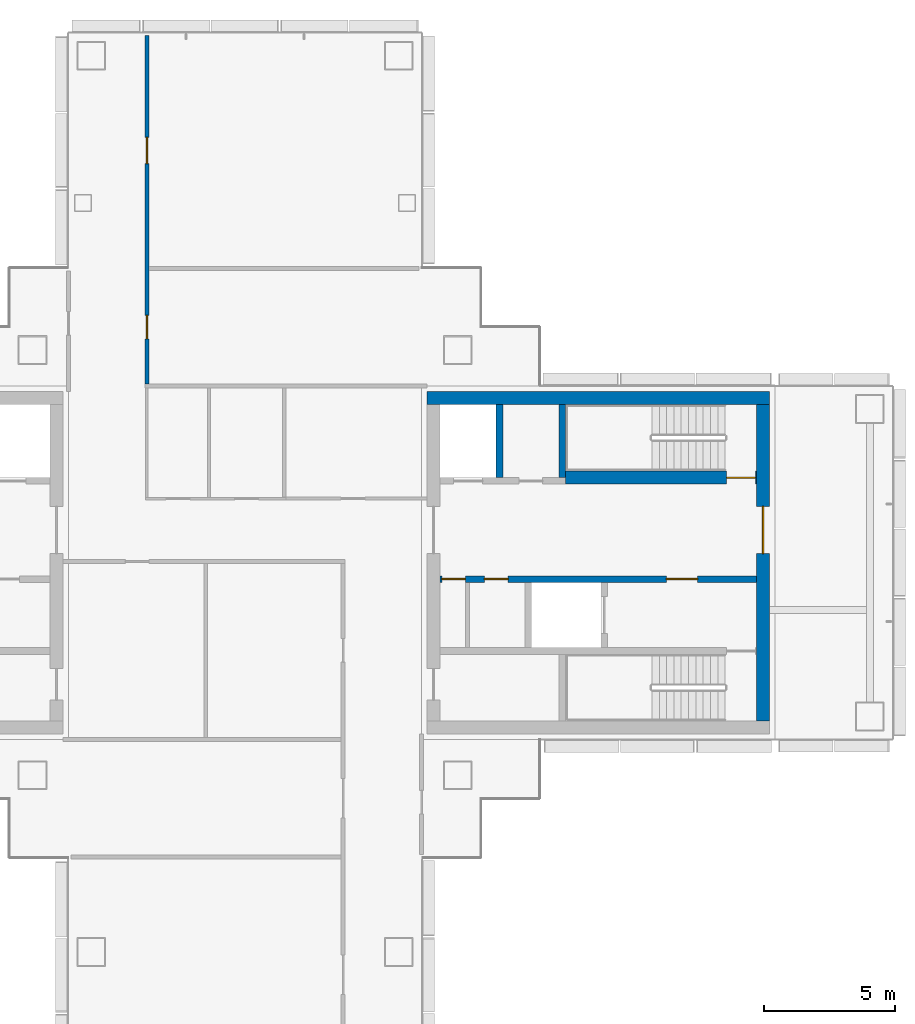
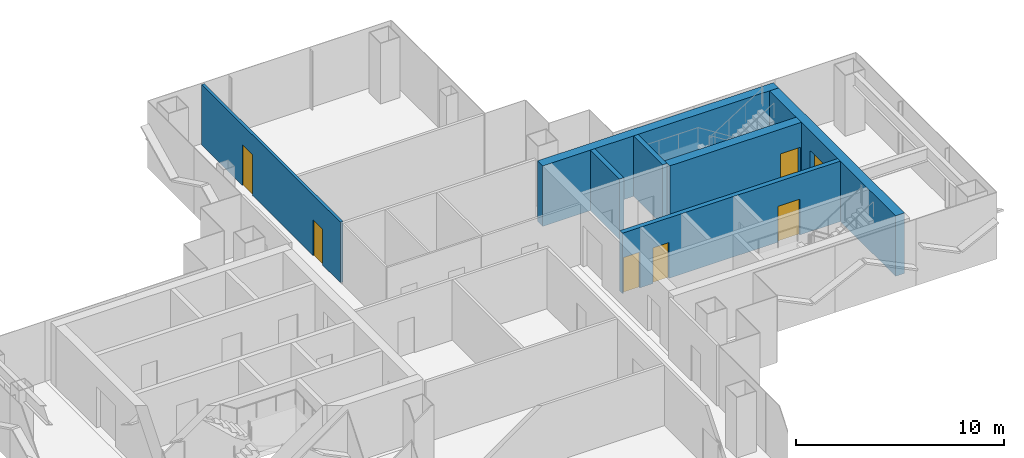
# One storey, part 12 of 16: 7 doors, 7 walls, 7 openings.
"""IFC4 building model written with IfcOpenShell, lengths in metres."""

from ifc_helpers import new_model, si_unit, direction, frame, frame_2d, origin, place, context, subcontext, project, spatial, rectangle, extrude, material, layer, layer_set, type_object, element, fill, save


model = new_model("IFC4")

# Units and contexts
model_context = context("Model", 3, precision=1e-05, world=origin(), true_north=direction((0.0, 1.0)))
body_context = subcontext(model_context, "Body", "Model", "MODEL_VIEW")
ifc_project = project(units=[si_unit("LENGTHUNIT", "METRE"), si_unit("AREAUNIT", "SQUARE_METRE"), si_unit("VOLUMEUNIT", "CUBIC_METRE"), si_unit("PLANEANGLEUNIT", "RADIAN"), si_unit("MASSUNIT", "GRAM", prefix="KILO")], contexts=[model_context])

# Site, building, storey
site_placement = place(None, origin())
site = spatial("IfcSite", under=ifc_project, at=site_placement, CompositionType="ELEMENT")
building_placement = place(site_placement, origin())
building = spatial("IfcBuilding", under=site, at=building_placement, Name="Shamsa Quay Exchange Towers", CompositionType="ELEMENT")
storey_placement = place(building_placement, frame((0.0, 0.0, 166.199951171875)))
storey = spatial("IfcBuildingStorey", under=building, at=storey_placement, Name="L39", CompositionType="ELEMENT", Elevation=166.199951171875)

# Wall
ifc_material_1 = material(Name="Concrete C60/75", Category="concrete")
ifc_layer_1 = layer(ifc_material_1, 0.5)
ifc_layer_set_1 = layer_set([ifc_layer_1], Name="CORE WALL 500 C60/75")
wall_type_1 = type_object("IfcWallType", Name="CORE WALL 500 C60/75", PredefinedType="SHEAR", material=ifc_layer_set_1)
wall_1_placement = place(storey_placement, frame((53.800048828125, 6.300048828125, 0.0), z_axis=(0.0, 0.0, 1.0), x_axis=(-1.0, 0.0, 0.0)))
element("IfcWall", 1, at=wall_1_placement, inside=storey, type_object=wall_type_1, Name="Core wall T2B-R18-PN", PredefinedType="SHEAR", context=body_context, shape_type="SweptSolid", body=[
    extrude(rectangle(XDim=13.10009765625, YDim=0.5, at=frame_2d((6.550048828125, 0.0))), origin(), (0.0, 0.0, 1.0), 3.550048828125),
])

# Wall, opening, door
wall_2_placement = place(storey_placement, frame((53.550048828125, -6.050048828125, 0.0), z_axis=(0.0, 0.0, 1.0), x_axis=(0.0, 1.0, 0.0)))
wall_2 = element("IfcWall", 2, at=wall_2_placement, inside=storey, type_object=wall_type_1, Name="Core wall T2B-R18-PF", PredefinedType="SHEAR", context=body_context, shape_type="SweptSolid", body=[
    extrude(rectangle(XDim=12.10009765625, YDim=0.5, at=frame_2d((6.050048828125, 0.0))), origin(), (0.0, 0.0, 1.0), 3.550048828125),
])
opening_1_placement = place(wall_2_placement, frame((6.39990234375, 0.0, 0.0)))
opening_1 = element("IfcOpeningElement", 3, at=opening_1_placement, cuts=wall_2, Name="Opening T2B-R18-LBD01", PredefinedType="OPENING", context=body_context, shape_type="SweptSolid", body=[
    extrude(rectangle(XDim=1.800048828125, YDim=2.39990234375, at=frame_2d((0.89990234375, 1.199951171875))), frame((0.0, 0.260009765625, 0.0), z_axis=(0.0, -1.0, 0.0), x_axis=(1.0, 0.0, 0.0)), (0.0, 0.0, 1.0), 0.52001953125),
])
ifc_material_2 = material(Name="Steel, fire rated", Category="steel")
door_type_1 = type_object("IfcDoorType", Name="LIFT LOBBY DOOR PAIR 1800", OperationType="DOUBLE_DOOR_SINGLE_SWING", PredefinedType="DOOR", material=ifc_material_2)
door_1_placement = place(opening_1_placement, origin())
door_1 = element("IfcDoor", 4, at=door_1_placement, inside=storey, type_object=door_type_1, Name="T2B-R18-LBD01", OperationType="DOUBLE_DOOR_SINGLE_SWING", OverallHeight=2.39990234375, OverallWidth=1.800048828125, PredefinedType="DOOR", context=body_context, shape_type="SweptSolid", body=[
    extrude(rectangle(XDim=1.800048828125, YDim=2.39990234375, at=frame_2d((0.89990234375, 1.199951171875))), frame((0.0, 0.02490234375, 0.0), z_axis=(0.0, -1.0, 0.0), x_axis=(1.0, 0.0, 0.0)), (0.0, 0.0, 1.0), 0.050048828125),
])
fill(opening_1, door_1)

# Wall, openings, doors
ifc_material_3 = material(Name="Gypsum board partition on metal studs")
ifc_layer_2 = layer(ifc_material_3, 0.14990234375)
ifc_layer_set_2 = layer_set([ifc_layer_2], Name="Partition 150 mm EI 60")
wall_type_2 = type_object("IfcWallType", Name="Partition 150 mm EI 60", PredefinedType="PARTITIONING", material=ifc_layer_set_2)
wall_3_placement = place(storey_placement, frame((30.0, 20.155029296875, 0.0), z_axis=(0.0, 0.0, 1.0), x_axis=(0.0, -1.0, 0.0)))
wall_3 = element("IfcWall", 5, at=wall_3_placement, inside=storey, type_object=wall_type_2, Name="Partition T2-R18-W01", PredefinedType="PARTITIONING", context=body_context, shape_type="SweptSolid", body=[
    extrude(rectangle(XDim=13.330078125, YDim=0.14990234375, at=frame_2d((6.6650390625, 0.0))), origin(), (0.0, 0.0, 1.0), 3.550048828125),
])
opening_2_placement = place(wall_3_placement, frame((10.705078125, 0.0, 0.0)))
opening_2 = element("IfcOpeningElement", 6, at=opening_2_placement, cuts=wall_3, Name="Opening T2-R18-D08", PredefinedType="OPENING", context=body_context, shape_type="SweptSolid", body=[
    extrude(rectangle(XDim=0.89990234375, YDim=2.10009765625, at=frame_2d((0.449951171875, 1.050048828125))), frame((0.0, 0.0849609375, 0.0), z_axis=(0.0, -1.0, 0.0), x_axis=(1.0, 0.0, 0.0)), (0.0, 0.0, 1.0), 0.169921875),
])
opening_3_placement = place(wall_3_placement, frame((3.905029296875, 0.0, 0.0)))
opening_3 = element("IfcOpeningElement", 7, at=opening_3_placement, cuts=wall_3, Name="Opening T2-R18-D09", PredefinedType="OPENING", context=body_context, shape_type="SweptSolid", body=[
    extrude(rectangle(XDim=1.0, YDim=2.39990234375, at=frame_2d((0.5, 1.199951171875))), frame((0.0, 0.0849609375, 0.0), z_axis=(0.0, -1.0, 0.0), x_axis=(1.0, 0.0, 0.0)), (0.0, 0.0, 1.0), 0.169921875),
])
ifc_material_4 = material(Name="Timber door leaf in a metal frame", Category="wood")
door_type_2 = type_object("IfcDoorType", Name="Door 1000x2400 FD30S", OperationType="NOTDEFINED", PredefinedType="DOOR", material=ifc_material_4)
door_2_placement = place(opening_3_placement, origin())
door_2 = element("IfcDoor", 8, at=door_2_placement, inside=storey, type_object=door_type_2, Name="Door T2-R18-D09", OperationType="SINGLE_SWING_RIGHT", OverallHeight=2.39990234375, OverallWidth=1.0, PredefinedType="DOOR", context=body_context, shape_type="SweptSolid", body=[
    extrude(rectangle(XDim=1.0, YDim=2.39990234375, at=frame_2d((0.5, 1.199951171875))), frame((0.0, 0.02490234375, 0.0), z_axis=(0.0, -1.0, 0.0), x_axis=(1.0, 0.0, 0.0)), (0.0, 0.0, 1.0), 0.050048828125),
])
fill(opening_3, door_2)
door_type_3 = type_object("IfcDoorType", Name="Door 900x2100 FD30S", OperationType="NOTDEFINED", PredefinedType="DOOR", material=ifc_material_4)
door_3_placement = place(opening_2_placement, origin())
door_3 = element("IfcDoor", 9, at=door_3_placement, inside=storey, type_object=door_type_3, Name="Door T2-R18-D08", OperationType="SINGLE_SWING_LEFT", OverallHeight=2.10009765625, OverallWidth=0.89990234375, PredefinedType="DOOR", context=body_context, shape_type="SweptSolid", body=[
    extrude(rectangle(XDim=0.89990234375, YDim=2.10009765625, at=frame_2d((0.449951171875, 1.050048828125))), frame((0.0, 0.02490234375, 0.0), z_axis=(0.0, -1.0, 0.0), x_axis=(1.0, 0.0, 0.0)), (0.0, 0.0, 1.0), 0.050048828125),
])
fill(opening_2, door_3)

ifc_material_5 = material(Name="Concrete C50/60", Category="concrete")
ifc_layer_3 = layer(ifc_material_5, 0.25)
ifc_layer_set_3 = layer_set([ifc_layer_3], Name="SHAFT WALL 250 C50/60")
wall_type_3 = type_object("IfcWallType", Name="SHAFT WALL 250 C50/60", PredefinedType="SHEAR", material=ifc_layer_set_3)
wall_4_placement = place(storey_placement, frame((53.300048828125, -0.625, 0.0), z_axis=(0.0, 0.0, 1.0), x_axis=(-1.0, 0.0, 0.0)))
wall_4 = element("IfcWall", 10, at=wall_4_placement, inside=storey, type_object=wall_type_3, Name="Shaft wall T2B-R18-B", PredefinedType="SHEAR", context=body_context, shape_type="SweptSolid", body=[
    extrude(rectangle(XDim=12.10009765625, YDim=0.25, at=frame_2d((6.050048828125, 0.0))), origin(), (0.0, 0.0, 1.0), 3.550048828125),
])
opening_4_placement = place(wall_4_placement, frame((2.25, 0.0, 0.0)))
opening_4 = element("IfcOpeningElement", 11, at=opening_4_placement, cuts=wall_4, Name="Opening T2B-R18-FD05", PredefinedType="OPENING", context=body_context, shape_type="SweptSolid", body=[
    extrude(rectangle(XDim=1.199951171875, YDim=2.10009765625, at=frame_2d((0.60009765625, 1.050048828125))), frame((0.0, 0.135009765625, 0.0), z_axis=(0.0, -1.0, 0.0), x_axis=(1.0, 0.0, 0.0)), (0.0, 0.0, 1.0), 0.27001953125),
])
opening_5_placement = place(wall_4_placement, frame((9.5, 0.0, 0.0)))
opening_5 = element("IfcOpeningElement", 12, at=opening_5_placement, cuts=wall_4, Name="Opening T2B-R18-SV06", PredefinedType="OPENING", context=body_context, shape_type="SweptSolid", body=[
    extrude(rectangle(XDim=0.89990234375, YDim=2.10009765625, at=frame_2d((0.449951171875, 1.050048828125))), frame((0.0, 0.135009765625, 0.0), z_axis=(0.0, -1.0, 0.0), x_axis=(1.0, 0.0, 0.0)), (0.0, 0.0, 1.0), 0.27001953125),
])
opening_6_placement = place(wall_4_placement, frame((11.125, 0.0, 0.0)))
opening_6 = element("IfcOpeningElement", 13, at=opening_6_placement, cuts=wall_4, Name="Opening T2B-R18-SV07", PredefinedType="OPENING", context=body_context, shape_type="SweptSolid", body=[
    extrude(rectangle(XDim=0.89990234375, YDim=2.10009765625, at=frame_2d((0.449951171875, 1.050048828125))), frame((0.0, 0.135009765625, 0.0), z_axis=(0.0, -1.0, 0.0), x_axis=(1.0, 0.0, 0.0)), (0.0, 0.0, 1.0), 0.27001953125),
])
door_type_4 = type_object("IfcDoorType", Name="FIRE SERVICE LOBBY DOOR 1200", OperationType="SINGLE_SWING_LEFT", PredefinedType="DOOR", material=ifc_material_2)
door_4_placement = place(opening_4_placement, origin())
door_4 = element("IfcDoor", 14, at=door_4_placement, inside=storey, type_object=door_type_4, Name="T2B-R18-FD05", OperationType="SINGLE_SWING_LEFT", OverallHeight=2.10009765625, OverallWidth=1.199951171875, PredefinedType="DOOR", context=body_context, shape_type="SweptSolid", body=[
    extrude(rectangle(XDim=1.199951171875, YDim=2.10009765625, at=frame_2d((0.60009765625, 1.050048828125))), frame((0.0, 0.02490234375, 0.0), z_axis=(0.0, -1.0, 0.0), x_axis=(1.0, 0.0, 0.0)), (0.0, 0.0, 1.0), 0.050048828125),
])
fill(opening_4, door_4)
door_type_5 = type_object("IfcDoorType", Name="SERVICE ROOM DOOR 900", OperationType="SINGLE_SWING_LEFT", PredefinedType="DOOR", material=ifc_material_2)
door_5_placement = place(opening_5_placement, origin())
door_5 = element("IfcDoor", 15, at=door_5_placement, inside=storey, type_object=door_type_5, Name="T2B-R18-SV06", OperationType="SINGLE_SWING_RIGHT", OverallHeight=2.10009765625, OverallWidth=0.89990234375, PredefinedType="DOOR", context=body_context, shape_type="SweptSolid", body=[
    extrude(rectangle(XDim=0.89990234375, YDim=2.10009765625, at=frame_2d((0.449951171875, 1.050048828125))), frame((0.0, 0.02490234375, 0.0), z_axis=(0.0, -1.0, 0.0), x_axis=(1.0, 0.0, 0.0)), (0.0, 0.0, 1.0), 0.050048828125),
])
fill(opening_5, door_5)
door_6_placement = place(opening_6_placement, origin())
door_6 = element("IfcDoor", 16, at=door_6_placement, inside=storey, type_object=door_type_5, Name="T2B-R18-SV07", OperationType="SINGLE_SWING_RIGHT", OverallHeight=2.10009765625, OverallWidth=0.89990234375, PredefinedType="DOOR", context=body_context, shape_type="SweptSolid", body=[
    extrude(rectangle(XDim=0.89990234375, YDim=2.10009765625, at=frame_2d((0.449951171875, 1.050048828125))), frame((0.0, 0.02490234375, 0.0), z_axis=(0.0, -1.0, 0.0), x_axis=(1.0, 0.0, 0.0)), (0.0, 0.0, 1.0), 0.050048828125),
])
fill(opening_6, door_6)

# Walls
for number, where, z_axis, x_axis, name in (
    (17, (45.875, 3.25, 0.0), (0.0, 0.0, 1.0), (0.0, 1.0, 0.0), "Shaft wall T2B-R18-STF2"),
    (18, (43.47509765625, 3.25, 0.0), (0.0, 0.0, 1.0), (0.0, 1.0, 0.0), "Shaft wall T2B-R18-D0"),
):
    element("IfcWall", number, at=place(storey_placement, frame(where, z_axis=z_axis, x_axis=x_axis)), inside=storey, type_object=wall_type_3, Name=name, PredefinedType="SHEAR", context=body_context, shape_type="SweptSolid", body=[
        extrude(rectangle(XDim=2.800048828125, YDim=0.25, at=frame_2d((1.39990234375, 0.0))), origin(), (0.0, 0.0, 1.0), 3.550048828125),
    ])

# Wall, opening, door
ifc_layer_4 = layer(ifc_material_5, 0.5)
ifc_layer_set_4 = layer_set([ifc_layer_4], Name="SHAFT WALL 500 C50/60")
wall_type_4 = type_object("IfcWallType", Name="SHAFT WALL 500 C50/60", PredefinedType="SHEAR", material=ifc_layer_set_4)
wall_5_placement = place(storey_placement, frame((46.0, 3.25, 0.0)))
wall_5 = element("IfcWall", 19, at=wall_5_placement, inside=storey, type_object=wall_type_4, Name="Shaft wall T2B-R18-N", PredefinedType="SHEAR", context=body_context, shape_type="SweptSolid", body=[
    extrude(rectangle(XDim=7.300048828125, YDim=0.5, at=frame_2d((3.64990234375, 0.0))), origin(), (0.0, 0.0, 1.0), 3.550048828125),
])
opening_7_placement = place(wall_5_placement, frame((6.14990234375, 0.0, 0.0)))
opening_7 = element("IfcOpeningElement", 20, at=opening_7_placement, cuts=wall_5, Name="Opening T2B-R18-SD09", PredefinedType="OPENING", context=body_context, shape_type="SweptSolid", body=[
    extrude(rectangle(XDim=1.10009765625, YDim=2.10009765625, at=frame_2d((0.550048828125, 1.050048828125))), frame((0.0, 0.260009765625, 0.0), z_axis=(0.0, -1.0, 0.0), x_axis=(1.0, 0.0, 0.0)), (0.0, 0.0, 1.0), 0.52001953125),
])
door_type_6 = type_object("IfcDoorType", Name="STAIR DOOR 1100", OperationType="SINGLE_SWING_LEFT", PredefinedType="DOOR", material=ifc_material_2)
door_7_placement = place(opening_7_placement, origin())
door_7 = element("IfcDoor", 21, at=door_7_placement, inside=storey, type_object=door_type_6, Name="T2B-R18-SD09", OperationType="SINGLE_SWING_RIGHT", OverallHeight=2.10009765625, OverallWidth=1.10009765625, PredefinedType="DOOR", context=body_context, shape_type="SweptSolid", body=[
    extrude(rectangle(XDim=1.10009765625, YDim=2.10009765625, at=frame_2d((0.550048828125, 1.050048828125))), frame((0.0, 0.02490234375, 0.0), z_axis=(0.0, -1.0, 0.0), x_axis=(1.0, 0.0, 0.0)), (0.0, 0.0, 1.0), 0.050048828125),
])
fill(opening_7, door_7)

save(model, "model.ifc")
